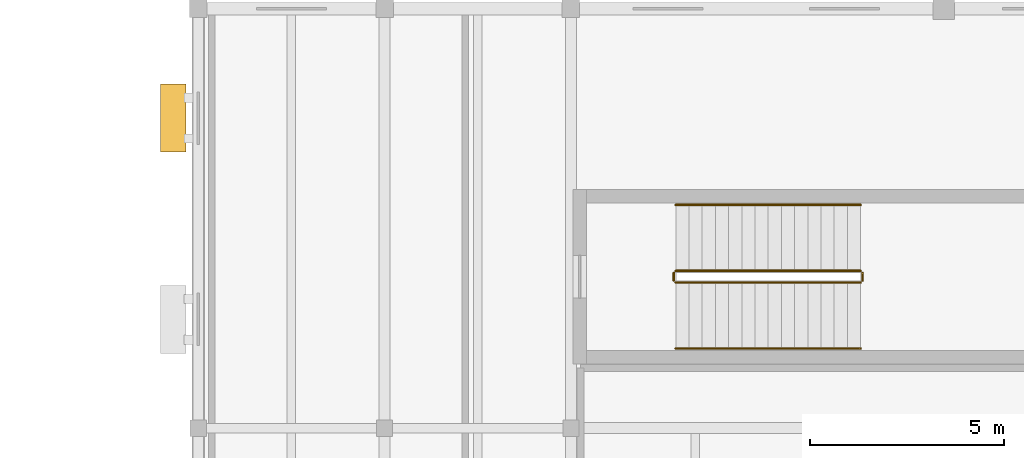
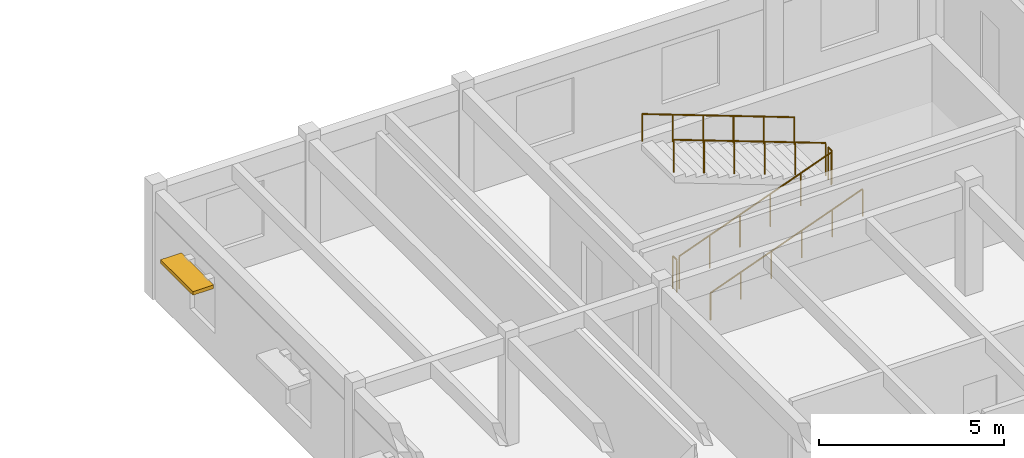
# One storey, part 30 of 31: 6 railings, 1 shading device.
"""IFC4 building model written with IfcOpenShell, lengths in metres."""

import ifcopenshell
import ifcopenshell.guid

model = None  # the IFC model being written
_history = None  # IfcOwnerHistory: only IFC2X3 demands one
_inside = {}  # id of a spatial element -> (the spatial element, [elements in it])
_under = {}  # id of a project, library or spatial element -> (it, [spatial elements below it])
_declared = {}  # id of a project -> (the project, [libraries it declares])
_typed = {}  # id of a type object -> (the type object, [elements of that type])
_made_of = {}  # id of a material, layer set ... -> (it, [elements and type objects made of it])


def new_model(schema):
    """Start an empty IFC model of exactly this schema.

    Asked for "IFC4X3", IfcOpenShell would pick the latest addendum, in which some entities
    have other attributes; the version numbers below select the first issue.
    IFC2X3 requires an IfcOwnerHistory on every rooted entity: one is made here for all.
    """
    global model, _history
    if schema == "IFC4X3":
        model = ifcopenshell.file(schema_version=(4, 3, 0, 0))
    else:
        model = ifcopenshell.file(schema=schema)
    _inside.clear()
    _under.clear()
    _declared.clear()
    _typed.clear()
    _made_of.clear()
    _history = None
    if model.schema == "IFC2X3":
        org = make("IfcOrganization", Name="unknown")
        user = make(
            "IfcPersonAndOrganization",
            ThePerson=make("IfcPerson", FamilyName="unknown"),
            TheOrganization=org,
        )
        app = make(
            "IfcApplication",
            ApplicationDeveloper=org,
            Version="unknown",
            ApplicationFullName="unknown",
            ApplicationIdentifier="unknown",
        )
        _history = make(
            "IfcOwnerHistory",
            OwningUser=user,
            OwningApplication=app,
            ChangeAction="ADDED",
            CreationDate=0,
        )
    return model


def make(cls, **values):
    """One entity of the class cls with the attributes given. An attribute that is None is left unset."""
    return model.create_entity(
        cls, **{name: value for name, value in values.items() if value is not None}
    )


def rooted(cls, **values):
    """An entity with a GlobalId (a new one), such as an element, a storey or a relation."""
    return make(cls, GlobalId=ifcopenshell.guid.new(), OwnerHistory=_history, **values)


def si_unit(unit_type, name, prefix=None):
    """IfcSIUnit, for example si_unit("LENGTHUNIT", "METRE", prefix="MILLI")."""
    return make("IfcSIUnit", UnitType=unit_type, Prefix=prefix, Name=name)


def assignment(units):
    """IfcUnitAssignment: the units of a project."""
    return None if units is None else make("IfcUnitAssignment", Units=units)


def point(xyz):
    """IfcCartesianPoint."""
    return None if xyz is None else make("IfcCartesianPoint", Coordinates=xyz)


def direction(xyz):
    """IfcDirection."""
    return None if xyz is None else make("IfcDirection", DirectionRatios=xyz)


def frame(location, z_axis=None, x_axis=None):
    """IfcAxis2Placement3D, a coordinate frame: its origin and axes. An axis left out is left unset."""
    return make(
        "IfcAxis2Placement3D",
        Location=point(location),
        Axis=direction(z_axis),
        RefDirection=direction(x_axis),
    )


def frame_2d(location, x_axis=None):
    """IfcAxis2Placement2D, a coordinate frame in the plane: its origin and x axis."""
    return make(
        "IfcAxis2Placement2D", Location=point(location), RefDirection=direction(x_axis)
    )


def origin():
    """The frame at (0, 0, 0) with its axes left unset."""
    return frame((0.0, 0.0, 0.0))


def origin_2d():
    """The frame at (0, 0) in the plane with its x axis left unset."""
    return frame_2d((0.0, 0.0))


def place(relative_to, where):
    """IfcLocalPlacement: puts the frame where relative to a parent placement (None: the world)."""
    return make(
        "IfcLocalPlacement", PlacementRelTo=relative_to, RelativePlacement=where
    )


def context(
    kind, dimensions, precision=None, world=None, true_north=None, identifier=None
):
    """IfcGeometricRepresentationContext, for example the 3D "Model" context."""
    return make(
        "IfcGeometricRepresentationContext",
        ContextIdentifier=identifier,
        ContextType=kind,
        CoordinateSpaceDimension=dimensions,
        Precision=precision,
        WorldCoordinateSystem=world,
        TrueNorth=true_north,
    )


def subcontext(parent, identifier, kind, view, scale=None):
    """IfcGeometricRepresentationSubContext, for example "Body" below "Model"."""
    return make(
        "IfcGeometricRepresentationSubContext",
        ContextIdentifier=identifier,
        ContextType=kind,
        ParentContext=parent,
        TargetScale=scale,
        TargetView=view,
    )


def project(units=None, contexts=None):
    """IfcProject with its units and contexts."""
    return rooted(
        "IfcProject",
        Name="project",
        RepresentationContexts=contexts,
        UnitsInContext=assignment(units),
    )


def spatial(cls, under=None, at=None, **own):
    """A site, building, storey or space (cls), placed at a placement, below another one or the project."""
    s = rooted(cls, ObjectPlacement=at, **own)
    if under is not None:
        _under.setdefault(under.id(), (under, []))[1].append(s)
    return s


def profile(cls, at=None, kind="AREA", **sizes):
    """A parametric profile (cls). Its sizes go by their IFC names, for example OverallWidth=200.0."""
    return make(cls, ProfileType=kind, Position=at, **sizes)


def rectangle(**sizes):
    """IfcRectangleProfileDef."""
    return profile("IfcRectangleProfileDef", **sizes)


def circle(**sizes):
    """IfcCircleProfileDef."""
    return profile("IfcCircleProfileDef", **sizes)


def extrude(swept, where, along, depth):
    """IfcExtrudedAreaSolid: the profile swept, set in the frame where, extruded along a direction by depth."""
    return make(
        "IfcExtrudedAreaSolid",
        SweptArea=swept,
        Position=where,
        ExtrudedDirection=direction(along),
        Depth=depth,
    )


def shape(context_of_items, identifier, shape_type, items):
    """IfcShapeRepresentation: the items that make up one representation, for example the "Body"."""
    return make(
        "IfcShapeRepresentation",
        ContextOfItems=context_of_items,
        RepresentationIdentifier=identifier,
        RepresentationType=shape_type,
        Items=items,
    )


def material(Name=None, Category=None):
    """IfcMaterial."""
    return make("IfcMaterial", Name=Name, Category=Category)


def made_of(thing, what):
    """Note that an element or type object is made of a material, layer set ...; save() writes the relation."""
    if what is not None:
        _made_of.setdefault(what.id(), (what, []))[1].append(thing)
    return thing


def type_object(cls, material=None, **own):
    """A type object (cls), such as IfcWallType, which elements share."""
    return made_of(rooted(cls, **own), material)


def element(
    cls,
    number,
    at=None,
    inside=None,
    cuts=None,
    type_object=None,
    material=None,
    context=None,
    identifier="Body",
    shape_type=None,
    held_by="IfcProductDefinitionShape",
    body=None,
    shapes=None,
    **own,
):
    """One element of the class cls, such as IfcWall. Its Tag is "e" and its number.

    at: its placement. inside: the storey or other place that contains it. cuts: it is an
    opening in that element (IfcRelVoidsElement). A single representation is given by context,
    identifier, shape_type and body (its items); several are given by shapes. held_by: the class
    of the entity that holds the representations. save() writes the other relations.
    """
    e = rooted(cls, Tag="e%d" % number, ObjectPlacement=at, **own)
    if body is not None:
        shapes = [shape(context, identifier, shape_type, body)]
    if shapes is not None:
        e.Representation = make(held_by, Representations=shapes)
    if inside is not None:
        _inside.setdefault(inside.id(), (inside, []))[1].append(e)
    if cuts is not None:
        rooted(
            "IfcRelVoidsElement", RelatingBuildingElement=cuts, RelatedOpeningElement=e
        )
    if type_object is not None:
        _typed.setdefault(type_object.id(), (type_object, []))[1].append(e)
    return made_of(e, material)


def aggregate(whole, parts):
    """IfcRelAggregates: a whole, such as a stair, and the parts it consists of."""
    return rooted("IfcRelAggregates", RelatingObject=whole, RelatedObjects=parts)


def save(model, path):
    """Write the relations noted so far, then the file.

    IfcRelAggregates (storeys below a building ...), IfcRelContainedInSpatialStructure (elements
    in a storey), IfcRelDefinesByType, IfcRelAssociatesMaterial and IfcRelDeclares: one each for
    every whole, place, type object, material and project.
    """
    for whole, parts in _under.values():
        aggregate(whole, parts)
    for where, things in _inside.values():
        rooted(
            "IfcRelContainedInSpatialStructure",
            RelatedElements=things,
            RelatingStructure=where,
        )
    for kind, things in _typed.values():
        rooted("IfcRelDefinesByType", RelatedObjects=things, RelatingType=kind)
    for what, things in _made_of.values():
        rooted("IfcRelAssociatesMaterial", RelatedObjects=things, RelatingMaterial=what)
    for by, libraries in _declared.values():
        rooted("IfcRelDeclares", RelatingContext=by, RelatedDefinitions=libraries)
    model.write(path)


model = new_model("IFC4")

# Units and contexts
model_context = context("Model", 3, precision=1e-05, world=origin(), true_north=direction((0.0, 1.0)))
body_context = subcontext(model_context, "Body", "Model", "MODEL_VIEW")
ifc_project = project(units=[si_unit("LENGTHUNIT", "METRE"), si_unit("AREAUNIT", "SQUARE_METRE"), si_unit("VOLUMEUNIT", "CUBIC_METRE"), si_unit("PLANEANGLEUNIT", "RADIAN"), si_unit("MASSUNIT", "GRAM", prefix="KILO")], contexts=[model_context])

# Site, building, storey
site_placement = place(None, origin())
site = spatial("IfcSite", under=ifc_project, at=site_placement, CompositionType="ELEMENT")
building_placement = place(site_placement, origin())
building = spatial("IfcBuilding", under=site, at=building_placement, Name="Veldera Park Congress Hotel", CompositionType="ELEMENT")
storey_placement = place(building_placement, frame((0.0, 0.0, 20.0)))
storey = spatial("IfcBuildingStorey", under=building, at=storey_placement, Name="L04", CompositionType="ELEMENT", Elevation=20.0)

# Railings
ifc_material_1 = material(Name="Steel ASTM A992 Gr.50", Category="steel")
railing_type_1 = type_object("IfcRailingType", Name="GRD-ST110", PredefinedType="GUARDRAIL", material=ifc_material_1)
railing_1_placement = place(storey_placement, frame((53.89990234375, 50.949951171875, 0.126708984375)))
element("IfcRailing", 1, at=railing_1_placement, inside=storey, type_object=railing_type_1, Name="L04 ST3 stair guard 1", PredefinedType="GUARDRAIL", context=body_context, shape_type="SweptSolid", body=[
    extrude(circle(Radius=0.02392578125, at=origin_2d()), frame((0.0, 0.0, 1.076171875), z_axis=(0.937091363699, 0.0, 0.349084196263), x_axis=(0.0, 1.0, 0.0)), (0.0, 0.0, 1.0), 5.07958984375),
    extrude(circle(Radius=0.02099609375, at=origin_2d()), origin(), (0.0, 0.0, 1.0), 1.052001953125),
    extrude(circle(Radius=0.02099609375, at=origin_2d()), frame((0.951904296875, 0.0, 0.354736328125)), (0.0, 0.0, 1.0), 1.052001953125),
    extrude(circle(Radius=0.02099609375, at=origin_2d()), frame((1.904052734375, 0.0, 0.709228515625)), (0.0, 0.0, 1.0), 1.052001953125),
    extrude(circle(Radius=0.02099609375, at=origin_2d()), frame((2.85595703125, 0.0, 1.06396484375)), (0.0, 0.0, 1.0), 1.052001953125),
    extrude(circle(Radius=0.02099609375, at=origin_2d()), frame((3.80810546875, 0.0, 1.41845703125)), (0.0, 0.0, 1.0), 1.052001953125),
    extrude(circle(Radius=0.02099609375, at=origin_2d()), frame((4.760009765625, 0.0, 1.773193359375)), (0.0, 0.0, 1.0), 1.052001953125),
])
railing_2_placement = place(storey_placement, frame((58.7099609375, 51.0, 1.89990234375)))
element("IfcRailing", 2, at=railing_2_placement, inside=storey, type_object=railing_type_1, Name="L04 ST3 stair guard 2", PredefinedType="GUARDRAIL", context=body_context, shape_type="SweptSolid", body=[
    extrude(circle(Radius=0.02392578125, at=origin_2d()), frame((0.0, 0.0, 1.076171875), z_axis=(0.0, 1.0, 0.0), x_axis=(-1.0, 0.0, 0.0)), (0.0, 0.0, 1.0), 0.199951171875),
    extrude(circle(Radius=0.02099609375, at=origin_2d()), origin(), (0.0, 0.0, 1.0), 1.052001953125),
    extrude(circle(Radius=0.02099609375, at=origin_2d()), frame((0.0, 0.199951171875, 0.0)), (0.0, 0.0, 1.0), 1.052001953125),
])
railing_3_placement = place(storey_placement, frame((58.659912109375, 51.25, 2.026611328125)))
element("IfcRailing", 3, at=railing_3_placement, inside=storey, type_object=railing_type_1, Name="L04 ST3 stair guard 3", PredefinedType="GUARDRAIL", context=body_context, shape_type="SweptSolid", body=[
    extrude(circle(Radius=0.02392578125, at=origin_2d()), frame((0.0, 0.0, 1.076171875), z_axis=(-0.937075640343, 0.0, 0.349126401572), x_axis=(0.0, -1.0, 0.0)), (0.0, 0.0, 1.0), 5.07958984375),
    extrude(circle(Radius=0.02099609375, at=origin_2d()), origin(), (0.0, 0.0, 1.0), 1.052001953125),
    extrude(circle(Radius=0.02099609375, at=origin_2d()), frame((-0.951904296875, 0.0, 0.354736328125)), (0.0, 0.0, 1.0), 1.052001953125),
    extrude(circle(Radius=0.02099609375, at=origin_2d()), frame((-1.904052734375, 0.0, 0.70947265625)), (0.0, 0.0, 1.0), 1.052001953125),
    extrude(circle(Radius=0.02099609375, at=origin_2d()), frame((-2.85595703125, 0.0, 1.06396484375)), (0.0, 0.0, 1.0), 1.052001953125),
    extrude(circle(Radius=0.02099609375, at=origin_2d()), frame((-3.80810546875, 0.0, 1.418701171875)), (0.0, 0.0, 1.0), 1.052001953125),
    extrude(circle(Radius=0.02099609375, at=origin_2d()), frame((-4.760009765625, 0.0, 1.7734375)), (0.0, 0.0, 1.0), 1.052001953125),
])
railing_4_placement = place(storey_placement, frame((53.85009765625, 51.0, 0.0)))
element("IfcRailing", 4, at=railing_4_placement, inside=storey, type_object=railing_type_1, Name="L04 ST3 stair guard 4", PredefinedType="GUARDRAIL", context=body_context, shape_type="SweptSolid", body=[
    extrude(circle(Radius=0.02392578125, at=origin_2d()), frame((0.0, 0.0, 1.076171875), z_axis=(0.0, 1.0, 0.0), x_axis=(-1.0, 0.0, 0.0)), (0.0, 0.0, 1.0), 0.199951171875),
    extrude(circle(Radius=0.02099609375, at=origin_2d()), origin(), (0.0, 0.0, 1.0), 1.052001953125),
    extrude(circle(Radius=0.02099609375, at=origin_2d()), frame((0.0, 0.199951171875, 0.0)), (0.0, 0.0, 1.0), 1.052001953125),
])
railing_type_2 = type_object("IfcRailingType", Name="HRL-920", PredefinedType="HANDRAIL", material=ifc_material_1)
railing_5_placement = place(storey_placement, frame((53.89990234375, 49.25, 0.126708984375)))
element("IfcRailing", 5, at=railing_5_placement, inside=storey, type_object=railing_type_2, Name="L04 ST3 stair handrail 1", PredefinedType="HANDRAIL", context=body_context, shape_type="SweptSolid", body=[
    extrude(circle(Radius=0.02392578125, at=origin_2d()), frame((0.0, 0.0, 0.89599609375), z_axis=(0.937091363699, 0.0, 0.349084196263), x_axis=(0.0, 1.0, 0.0)), (0.0, 0.0, 1.0), 5.07958984375),
    extrude(circle(Radius=0.02099609375, at=origin_2d()), origin(), (0.0, 0.0, 1.0), 0.871826171875),
    extrude(circle(Radius=0.02099609375, at=origin_2d()), frame((0.951904296875, 0.0, 0.354736328125)), (0.0, 0.0, 1.0), 0.871826171875),
    extrude(circle(Radius=0.02099609375, at=origin_2d()), frame((1.904052734375, 0.0, 0.709228515625)), (0.0, 0.0, 1.0), 0.871826171875),
    extrude(circle(Radius=0.02099609375, at=origin_2d()), frame((2.85595703125, 0.0, 1.06396484375)), (0.0, 0.0, 1.0), 0.871826171875),
    extrude(circle(Radius=0.02099609375, at=origin_2d()), frame((3.80810546875, 0.0, 1.41845703125)), (0.0, 0.0, 1.0), 0.871826171875),
    extrude(circle(Radius=0.02099609375, at=origin_2d()), frame((4.760009765625, 0.0, 1.773193359375)), (0.0, 0.0, 1.0), 0.871826171875),
])
railing_6_placement = place(storey_placement, frame((58.659912109375, 52.949951171875, 2.026611328125)))
element("IfcRailing", 6, at=railing_6_placement, inside=storey, type_object=railing_type_2, Name="L04 ST3 stair handrail 2", PredefinedType="HANDRAIL", context=body_context, shape_type="SweptSolid", body=[
    extrude(circle(Radius=0.02392578125, at=origin_2d()), frame((0.0, 0.0, 0.89599609375), z_axis=(-0.937075640343, 0.0, 0.349126401572), x_axis=(0.0, -1.0, 0.0)), (0.0, 0.0, 1.0), 5.07958984375),
    extrude(circle(Radius=0.02099609375, at=origin_2d()), origin(), (0.0, 0.0, 1.0), 0.871826171875),
    extrude(circle(Radius=0.02099609375, at=origin_2d()), frame((-0.951904296875, 0.0, 0.354736328125)), (0.0, 0.0, 1.0), 0.871826171875),
    extrude(circle(Radius=0.02099609375, at=origin_2d()), frame((-1.904052734375, 0.0, 0.70947265625)), (0.0, 0.0, 1.0), 0.871826171875),
    extrude(circle(Radius=0.02099609375, at=origin_2d()), frame((-2.85595703125, 0.0, 1.06396484375)), (0.0, 0.0, 1.0), 0.871826171875),
    extrude(circle(Radius=0.02099609375, at=origin_2d()), frame((-3.80810546875, 0.0, 1.418701171875)), (0.0, 0.0, 1.0), 0.871826171875),
    extrude(circle(Radius=0.02099609375, at=origin_2d()), frame((-4.760009765625, 0.0, 1.7734375)), (0.0, 0.0, 1.0), 0.871826171875),
])

# Shading device
ifc_material_2 = material(Name="Glulam GL28h (NDS 24F-V4)", Category="wood")
shading_device_type = type_object("IfcShadingDeviceType", Name="SHD-LVR300", PredefinedType="JALOUSIE", material=ifc_material_2)
shading_device_placement = place(storey_placement, frame((40.955078125, 55.184814453125, 2.52001953125), z_axis=(0.0, 0.0, 1.0), x_axis=(0.0, -1.0, 0.0)))
element("IfcShadingDevice", 7, at=shading_device_placement, inside=storey, type_object=shading_device_type, Name="Glulam Solar Shade 148", PredefinedType="JALOUSIE", context=body_context, shape_type="SweptSolid", body=[
    extrude(rectangle(XDim=1.75, YDim=0.64990234375, at=origin_2d()), origin(), (0.0, 0.0, 1.0), 0.1201171875),
])

save(model, "model.ifc")
